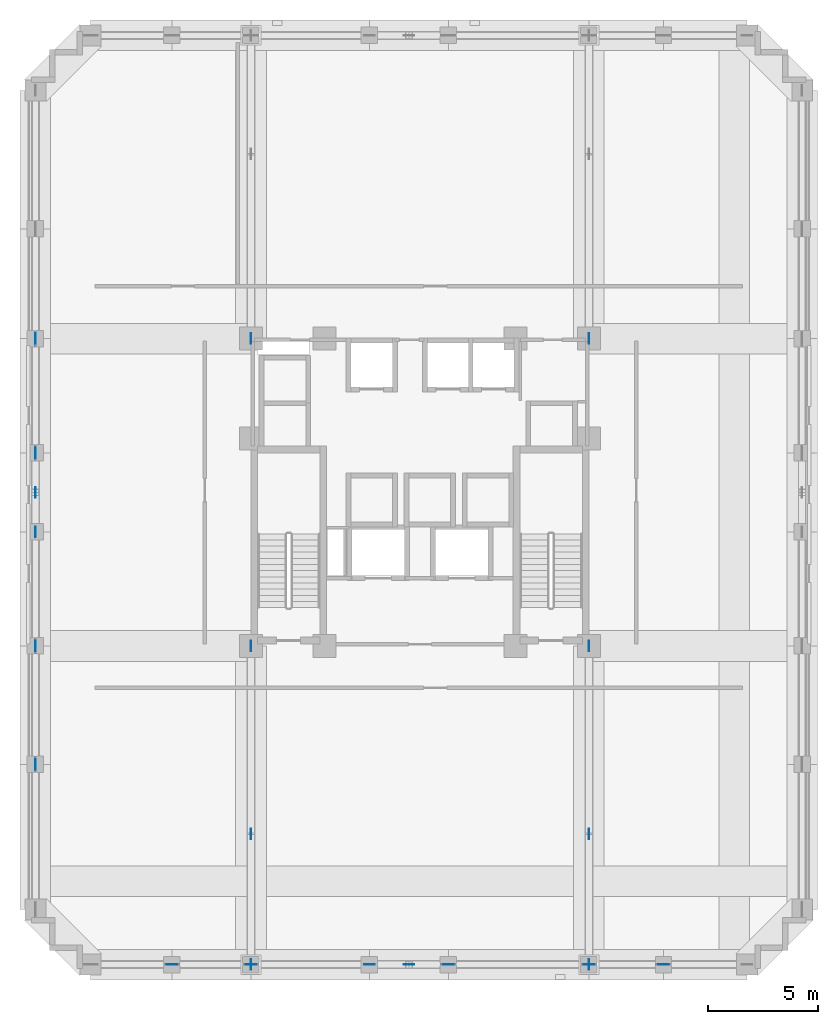
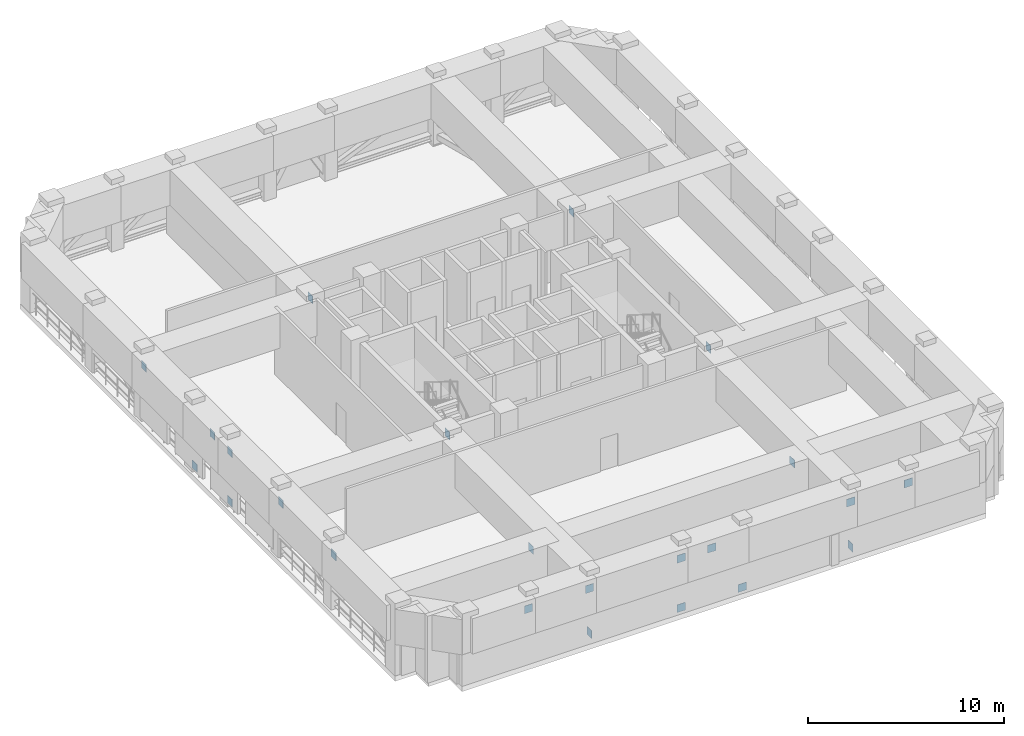
# One storey, part 6 of 11: 23 discrete accessories.
"""IFC4 building model written with IfcOpenShell, lengths in metres."""

import ifcopenshell
import ifcopenshell.guid

model = None  # the IFC model being written
_history = None  # IfcOwnerHistory: only IFC2X3 demands one
_inside = {}  # id of a spatial element -> (the spatial element, [elements in it])
_under = {}  # id of a project, library or spatial element -> (it, [spatial elements below it])
_declared = {}  # id of a project -> (the project, [libraries it declares])
_typed = {}  # id of a type object -> (the type object, [elements of that type])
_made_of = {}  # id of a material, layer set ... -> (it, [elements and type objects made of it])


def new_model(schema):
    """Start an empty IFC model of exactly this schema.

    Asked for "IFC4X3", IfcOpenShell would pick the latest addendum, in which some entities
    have other attributes; the version numbers below select the first issue.
    IFC2X3 requires an IfcOwnerHistory on every rooted entity: one is made here for all.
    """
    global model, _history
    if schema == "IFC4X3":
        model = ifcopenshell.file(schema_version=(4, 3, 0, 0))
    else:
        model = ifcopenshell.file(schema=schema)
    _inside.clear()
    _under.clear()
    _declared.clear()
    _typed.clear()
    _made_of.clear()
    _history = None
    if model.schema == "IFC2X3":
        org = make("IfcOrganization", Name="unknown")
        user = make(
            "IfcPersonAndOrganization",
            ThePerson=make("IfcPerson", FamilyName="unknown"),
            TheOrganization=org,
        )
        app = make(
            "IfcApplication",
            ApplicationDeveloper=org,
            Version="unknown",
            ApplicationFullName="unknown",
            ApplicationIdentifier="unknown",
        )
        _history = make(
            "IfcOwnerHistory",
            OwningUser=user,
            OwningApplication=app,
            ChangeAction="ADDED",
            CreationDate=0,
        )
    return model


def make(cls, **values):
    """One entity of the class cls with the attributes given. An attribute that is None is left unset."""
    return model.create_entity(
        cls, **{name: value for name, value in values.items() if value is not None}
    )


def rooted(cls, **values):
    """An entity with a GlobalId (a new one), such as an element, a storey or a relation."""
    return make(cls, GlobalId=ifcopenshell.guid.new(), OwnerHistory=_history, **values)


def si_unit(unit_type, name, prefix=None):
    """IfcSIUnit, for example si_unit("LENGTHUNIT", "METRE", prefix="MILLI")."""
    return make("IfcSIUnit", UnitType=unit_type, Prefix=prefix, Name=name)


def derived_unit(unit_type, elements):
    """IfcDerivedUnit: a product of units, each with its exponent."""
    return make(
        "IfcDerivedUnit",
        Elements=[
            make("IfcDerivedUnitElement", Unit=unit, Exponent=power)
            for unit, power in elements
        ],
        UnitType=unit_type,
    )


def assignment(units):
    """IfcUnitAssignment: the units of a project."""
    return None if units is None else make("IfcUnitAssignment", Units=units)


def point(xyz):
    """IfcCartesianPoint."""
    return None if xyz is None else make("IfcCartesianPoint", Coordinates=xyz)


def direction(xyz):
    """IfcDirection."""
    return None if xyz is None else make("IfcDirection", DirectionRatios=xyz)


def frame(location, z_axis=None, x_axis=None):
    """IfcAxis2Placement3D, a coordinate frame: its origin and axes. An axis left out is left unset."""
    return make(
        "IfcAxis2Placement3D",
        Location=point(location),
        Axis=direction(z_axis),
        RefDirection=direction(x_axis),
    )


def frame_2d(location, x_axis=None):
    """IfcAxis2Placement2D, a coordinate frame in the plane: its origin and x axis."""
    return make(
        "IfcAxis2Placement2D", Location=point(location), RefDirection=direction(x_axis)
    )


def origin():
    """The frame at (0, 0, 0) with its axes left unset."""
    return frame((0.0, 0.0, 0.0))


def origin_2d():
    """The frame at (0, 0) in the plane with its x axis left unset."""
    return frame_2d((0.0, 0.0))


def place(relative_to, where):
    """IfcLocalPlacement: puts the frame where relative to a parent placement (None: the world)."""
    return make(
        "IfcLocalPlacement", PlacementRelTo=relative_to, RelativePlacement=where
    )


def context(
    kind, dimensions, precision=None, world=None, true_north=None, identifier=None
):
    """IfcGeometricRepresentationContext, for example the 3D "Model" context."""
    return make(
        "IfcGeometricRepresentationContext",
        ContextIdentifier=identifier,
        ContextType=kind,
        CoordinateSpaceDimension=dimensions,
        Precision=precision,
        WorldCoordinateSystem=world,
        TrueNorth=true_north,
    )


def subcontext(parent, identifier, kind, view, scale=None):
    """IfcGeometricRepresentationSubContext, for example "Body" below "Model"."""
    return make(
        "IfcGeometricRepresentationSubContext",
        ContextIdentifier=identifier,
        ContextType=kind,
        ParentContext=parent,
        TargetScale=scale,
        TargetView=view,
    )


def project(units=None, contexts=None):
    """IfcProject with its units and contexts."""
    return rooted(
        "IfcProject",
        Name="project",
        RepresentationContexts=contexts,
        UnitsInContext=assignment(units),
    )


def spatial(cls, under=None, at=None, **own):
    """A site, building, storey or space (cls), placed at a placement, below another one or the project."""
    s = rooted(cls, ObjectPlacement=at, **own)
    if under is not None:
        _under.setdefault(under.id(), (under, []))[1].append(s)
    return s


def profile(cls, at=None, kind="AREA", **sizes):
    """A parametric profile (cls). Its sizes go by their IFC names, for example OverallWidth=200.0."""
    return make(cls, ProfileType=kind, Position=at, **sizes)


def rectangle(**sizes):
    """IfcRectangleProfileDef."""
    return profile("IfcRectangleProfileDef", **sizes)


def extrude(swept, where, along, depth):
    """IfcExtrudedAreaSolid: the profile swept, set in the frame where, extruded along a direction by depth."""
    return make(
        "IfcExtrudedAreaSolid",
        SweptArea=swept,
        Position=where,
        ExtrudedDirection=direction(along),
        Depth=depth,
    )


def shape(context_of_items, identifier, shape_type, items):
    """IfcShapeRepresentation: the items that make up one representation, for example the "Body"."""
    return make(
        "IfcShapeRepresentation",
        ContextOfItems=context_of_items,
        RepresentationIdentifier=identifier,
        RepresentationType=shape_type,
        Items=items,
    )


def material(Name=None, Category=None):
    """IfcMaterial."""
    return make("IfcMaterial", Name=Name, Category=Category)


def layer(
    of_material, thickness, ventilated=None, Name=None, Category=None, Priority=None
):
    """IfcMaterialLayer: one layer of a wall or slab, of a material (None: an air gap)."""
    return make(
        "IfcMaterialLayer",
        Material=of_material,
        LayerThickness=thickness,
        IsVentilated=ventilated,
        Name=Name,
        Category=Category,
        Priority=Priority,
    )


def layer_set(layers, Name=None):
    """IfcMaterialLayerSet."""
    return make("IfcMaterialLayerSet", MaterialLayers=layers, LayerSetName=Name)


def made_of(thing, what):
    """Note that an element or type object is made of a material, layer set ...; save() writes the relation."""
    if what is not None:
        _made_of.setdefault(what.id(), (what, []))[1].append(thing)
    return thing


def type_object(cls, material=None, **own):
    """A type object (cls), such as IfcWallType, which elements share."""
    return made_of(rooted(cls, **own), material)


def element(
    cls,
    number,
    at=None,
    inside=None,
    cuts=None,
    type_object=None,
    material=None,
    context=None,
    identifier="Body",
    shape_type=None,
    held_by="IfcProductDefinitionShape",
    body=None,
    shapes=None,
    **own,
):
    """One element of the class cls, such as IfcWall. Its Tag is "e" and its number.

    at: its placement. inside: the storey or other place that contains it. cuts: it is an
    opening in that element (IfcRelVoidsElement). A single representation is given by context,
    identifier, shape_type and body (its items); several are given by shapes. held_by: the class
    of the entity that holds the representations. save() writes the other relations.
    """
    e = rooted(cls, Tag="e%d" % number, ObjectPlacement=at, **own)
    if body is not None:
        shapes = [shape(context, identifier, shape_type, body)]
    if shapes is not None:
        e.Representation = make(held_by, Representations=shapes)
    if inside is not None:
        _inside.setdefault(inside.id(), (inside, []))[1].append(e)
    if cuts is not None:
        rooted(
            "IfcRelVoidsElement", RelatingBuildingElement=cuts, RelatedOpeningElement=e
        )
    if type_object is not None:
        _typed.setdefault(type_object.id(), (type_object, []))[1].append(e)
    return made_of(e, material)


def aggregate(whole, parts):
    """IfcRelAggregates: a whole, such as a stair, and the parts it consists of."""
    return rooted("IfcRelAggregates", RelatingObject=whole, RelatedObjects=parts)


def save(model, path):
    """Write the relations noted so far, then the file.

    IfcRelAggregates (storeys below a building ...), IfcRelContainedInSpatialStructure (elements
    in a storey), IfcRelDefinesByType, IfcRelAssociatesMaterial and IfcRelDeclares: one each for
    every whole, place, type object, material and project.
    """
    for whole, parts in _under.values():
        aggregate(whole, parts)
    for where, things in _inside.values():
        rooted(
            "IfcRelContainedInSpatialStructure",
            RelatedElements=things,
            RelatingStructure=where,
        )
    for kind, things in _typed.values():
        rooted("IfcRelDefinesByType", RelatedObjects=things, RelatingType=kind)
    for what, things in _made_of.values():
        rooted("IfcRelAssociatesMaterial", RelatedObjects=things, RelatingMaterial=what)
    for by, libraries in _declared.values():
        rooted("IfcRelDeclares", RelatingContext=by, RelatedDefinitions=libraries)
    model.write(path)


model = new_model("IFC4")

# Units and contexts
model_context = context("Model", 3, precision=1e-05, world=origin(), true_north=direction((0.0, 1.0)))
body_context = subcontext(model_context, "Body", "Model", "MODEL_VIEW")
ifc_project = project(units=[si_unit("LENGTHUNIT", "METRE"), si_unit("AREAUNIT", "SQUARE_METRE"), si_unit("VOLUMEUNIT", "CUBIC_METRE"), si_unit("PLANEANGLEUNIT", "RADIAN"), si_unit("MASSUNIT", "GRAM", prefix="KILO"), derived_unit("THERMALTRANSMITTANCEUNIT", [(si_unit("MASSUNIT", "GRAM", prefix="KILO"), 1), (si_unit("TIMEUNIT", "SECOND"), -3), (si_unit("THERMODYNAMICTEMPERATUREUNIT", "KELVIN"), -1)])], contexts=[model_context])

# Site, building, storey
site_placement = place(None, origin())
site = spatial("IfcSite", under=ifc_project, at=site_placement, CompositionType="ELEMENT")
building_placement = place(site_placement, origin())
building = spatial("IfcBuilding", under=site, at=building_placement, Name="Korrvale Station Residences", CompositionType="ELEMENT")
storey_placement = place(building_placement, frame((0.0, 0.0, 119.89990234375)))
storey = spatial("IfcBuildingStorey", under=building, at=storey_placement, Name="L34", CompositionType="ELEMENT", Elevation=119.89990234375)

# Discrete accessories
ifc_material = material(Name="Steel S355", Category="steel")
ifc_layer = layer(ifc_material, 0.02490234375, Name="Steel S355")
ifc_layer_set = layer_set([ifc_layer], Name="Steel S355")
discrete_accessory_type = type_object("IfcDiscreteAccessoryType", Name="ACC-GUSSET-25", PredefinedType="BRACKET", material=ifc_layer_set)
for number, where, z_axis, x_axis, name in (
    (1, (23.199951171875, 0.47998046875, -0.219970703125), (0.0, 0.0, 1.0), (1.0, 0.0, 0.0), "L34 S Brace End Gusset Connection A"),
    (2, (26.800048828125, 0.47998046875, -0.219970703125), (0.0, 0.0, 1.0), (1.0, 0.0, 0.0), "L34 S Brace End Gusset Connection B"),
    (3, (25.0, 0.47998046875, 2.860107421875), (0.0, 0.0, 1.0), (1.0, 0.0, 0.0), "L34 S Brace End Gusset Connection M"),
    (4, (7.97998046875, 20.199951171875, -0.219970703125), (0.0, 0.0, 1.0), (0.0, 1.0, 0.0), "L34 W Brace End Gusset Connection A"),
    (5, (7.97998046875, 23.800048828125, -0.219970703125), (0.0, 0.0, 1.0), (0.0, 1.0, 0.0), "L34 W Brace End Gusset Connection B"),
    (6, (7.97998046875, 22.0, 2.860107421875), (0.0, 0.0, 1.0), (0.0, 1.0, 0.0), "L34 W Brace End Gusset Connection M"),
    (7, (14.199951171875, 0.47998046875, 2.860107421875), (0.0, 0.0, 1.0), (1.0, 0.0, 0.0), "L34 Belt Truss Top Gusset Connection 01"),
    (8, (17.800048828125, 0.47998046875, 2.860107421875), (0.0, 0.0, 1.0), (1.0, 0.0, 0.0), "L34 Belt Truss Top Gusset Connection 02"),
    (9, (23.199951171875, 0.47998046875, 2.860107421875), (0.0, 0.0, 1.0), (1.0, 0.0, 0.0), "L34 Belt Truss Top Gusset Connection 03"),
    (10, (33.199951171875, 0.47998046875, 2.860107421875), (0.0, 0.0, 1.0), (1.0, 0.0, 0.0), "L34 Belt Truss Top Gusset Connection 04"),
    (11, (36.60009765625, 0.47998046875, 2.860107421875), (0.0, 0.0, 1.0), (1.0, 0.0, 0.0), "L34 Belt Truss Top Gusset Connection 05"),
    (12, (7.97998046875, 9.60009765625, 2.860107421875), (0.0, 0.0, 1.0), (0.0, 1.0, 0.0), "L34 Belt Truss Top Gusset Connection 13"),
    (13, (7.97998046875, 15.0, 2.860107421875), (0.0, 0.0, 1.0), (0.0, 1.0, 0.0), "L34 Belt Truss Top Gusset Connection 14"),
    (14, (7.97998046875, 20.199951171875, 2.860107421875), (0.0, 0.0, 1.0), (0.0, 1.0, 0.0), "L34 Belt Truss Top Gusset Connection 15"),
    (15, (7.97998046875, 29.0, 2.860107421875), (0.0, 0.0, 1.0), (0.0, 1.0, 0.0), "L34 Belt Truss Top Gusset Connection 16"),
    (16, (17.800048828125, 0.47998046875, 0.110107421875), (0.0, 0.0, 1.0), (0.0, 1.0, 0.0), "L34 Outrigger Gusset Connection 1A"),
    (17, (17.800048828125, 15.0, 3.690185546875), (0.0, 0.0, 1.0), (0.0, 1.0, 0.0), "L34 Outrigger Gusset Connection 1B"),
    (18, (17.800048828125, 6.43994140625, 1.739990234375), (0.0, 0.0, 1.0), (0.0, 1.0, 0.0), "L34 Outrigger Gusset Connection 1M"),
    (19, (33.199951171875, 0.47998046875, 0.110107421875), (0.0, 0.0, 1.0), (0.0, 1.0, 0.0), "L34 Outrigger Gusset Connection 2A"),
    (20, (33.199951171875, 15.0, 3.690185546875), (0.0, 0.0, 1.0), (0.0, 1.0, 0.0), "L34 Outrigger Gusset Connection 2B"),
    (21, (33.199951171875, 6.43994140625, 1.739990234375), (0.0, 0.0, 1.0), (0.0, 1.0, 0.0), "L34 Outrigger Gusset Connection 2M"),
    (22, (17.800048828125, 29.0, 3.690185546875), (0.0, 0.0, 1.0), (0.0, 1.0, 0.0), "L34 Outrigger Gusset Connection 3B"),
    (23, (33.199951171875, 29.0, 3.690185546875), (0.0, 0.0, 1.0), (0.0, 1.0, 0.0), "L34 Outrigger Gusset Connection 4B"),
):
    element("IfcDiscreteAccessory", number, at=place(storey_placement, frame(where, z_axis=z_axis, x_axis=x_axis)), inside=storey, type_object=discrete_accessory_type, Name=name, PredefinedType="BRACKET", context=body_context, shape_type="SweptSolid", body=[
        extrude(rectangle(XDim=0.47998046875, YDim=0.02490234375, at=origin_2d()), origin(), (0.0, 0.0, 1.0), 0.47998046875),
    ])

save(model, "model.ifc")
